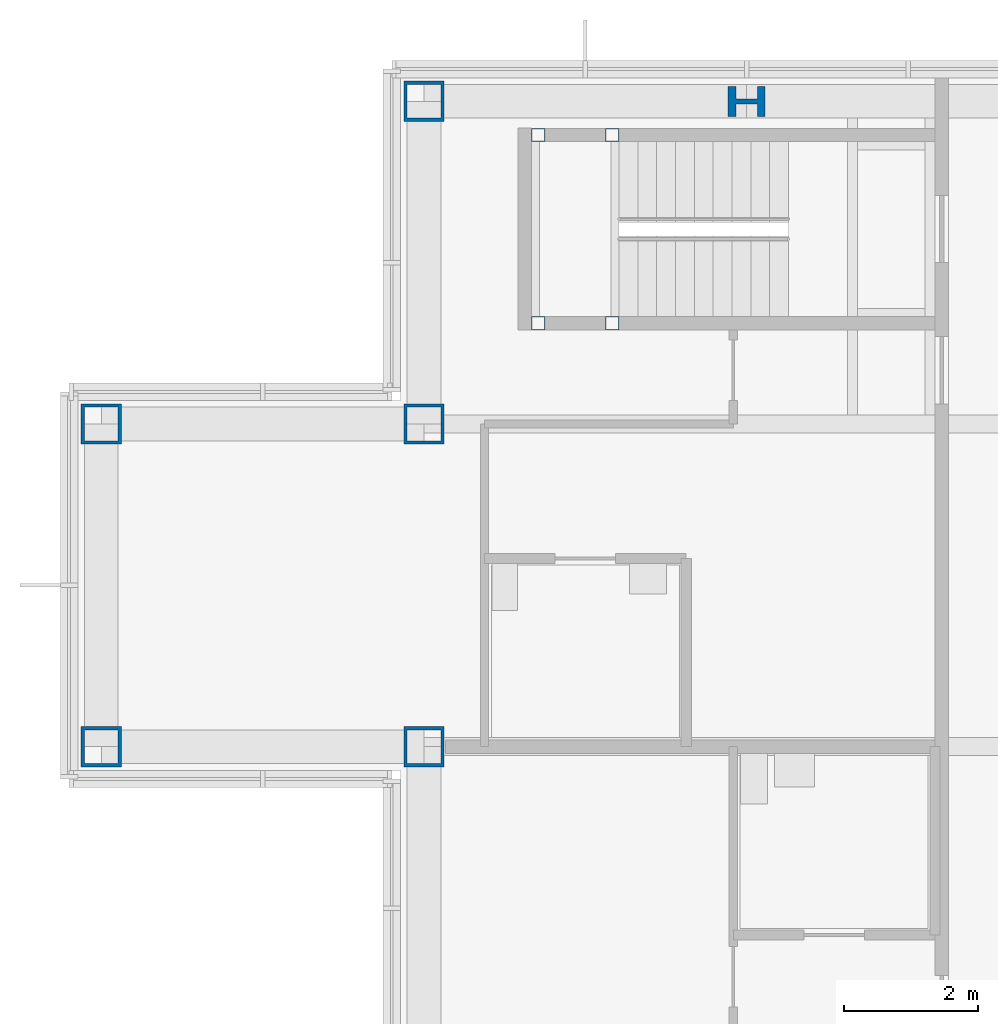
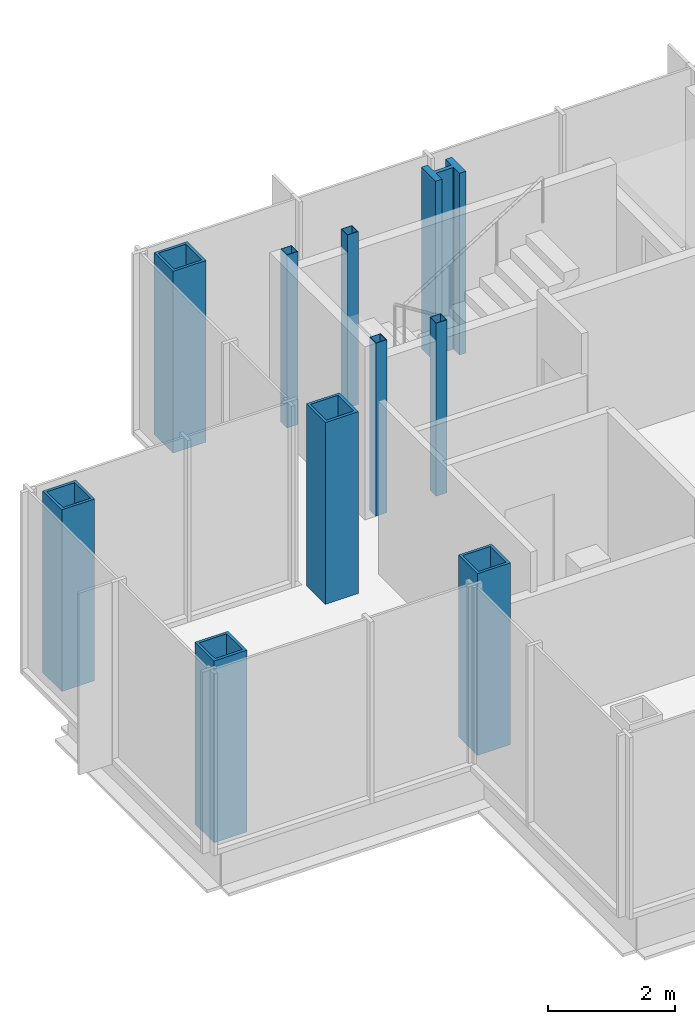
# One storey, part 3 of 15: 10 columns.
"""IFC4 building model written with IfcOpenShell, lengths in metres."""

from ifc_helpers import new_model, si_unit, direction, frame, origin, origin_2d, place, context, subcontext, project, spatial, hollow_rectangle, i_section, extrude, material, material_profile, profile_set, type_object, element, save


model = new_model("IFC4")

# Units and contexts
model_context = context("Model", 3, precision=1e-05, world=origin(), true_north=direction((0.0, 1.0)))
body_context = subcontext(model_context, "Body", "Model", "MODEL_VIEW")
ifc_project = project(units=[si_unit("LENGTHUNIT", "METRE"), si_unit("AREAUNIT", "SQUARE_METRE"), si_unit("VOLUMEUNIT", "CUBIC_METRE"), si_unit("PLANEANGLEUNIT", "RADIAN"), si_unit("MASSUNIT", "GRAM", prefix="KILO")], contexts=[model_context])

# Site, building, storey
site_placement = place(None, origin())
site = spatial("IfcSite", under=ifc_project, at=site_placement, CompositionType="ELEMENT")
building_placement = place(site_placement, origin())
building = spatial("IfcBuilding", under=site, at=building_placement, Name="Kvirike Care Tower", CompositionType="ELEMENT")
storey_placement = place(building_placement, frame((0.0, 0.0, 229.5)))
storey = spatial("IfcBuildingStorey", under=building, at=storey_placement, Name="L63", CompositionType="ELEMENT", Elevation=229.5)

# Columns
ifc_material_1 = material(Name="Steel S460", Category="steel")
ifc_material_profile_1 = material_profile(ifc_material_1, hollow_rectangle(XDim=0.60009765625, YDim=0.60009765625, WallThickness=0.050048828125, at=origin_2d()), Name="BX 600x600x50")
ifc_profile_set_1 = profile_set([ifc_material_profile_1], Name="Steel S460")
column_type_1 = type_object("IfcColumnType", Name="COLUMN BX 600x600x50", PredefinedType="COLUMN", material=ifc_profile_set_1)
for number, where, z_axis, x_axis, name in (
    (1, (0.0, 33.60009765625, 0.0), (0.0, 0.0, 1.0), (0.0, 1.0, 0.0), "Column H3 L63"),
    (2, (0.0, 38.39990234375, 0.0), (0.0, 0.0, 1.0), (0.0, 1.0, 0.0), "Column J3 L63"),
    (3, (4.800048828125, 33.60009765625, 0.0), (0.0, 0.0, 1.0), (0.0, 1.0, 0.0), "Column H4 L63"),
    (4, (4.800048828125, 38.39990234375, 0.0), (0.0, 0.0, 1.0), (0.0, 1.0, 0.0), "Column J4 L63"),
    (5, (4.800048828125, 43.199951171875, 0.0), (0.0, 0.0, 1.0), (0.0, 1.0, 0.0), "Column K4 L63"),
):
    element("IfcColumn", number, at=place(storey_placement, frame(where, z_axis=z_axis, x_axis=x_axis)), inside=storey, type_object=column_type_1, Name=name, PredefinedType="COLUMN", context=body_context, shape_type="SweptSolid", body=[
        extrude(hollow_rectangle(XDim=0.60009765625, YDim=0.60009765625, WallThickness=0.050048828125, at=origin_2d()), origin(), (0.0, 0.0, 1.0), 3.5),
    ])
ifc_material_2 = material(Name="Steel S460", Category="steel")
ifc_material_profile_2 = material_profile(ifc_material_2, i_section(OverallWidth=0.447998046875, OverallDepth=0.550048828125, WebThickness=0.072021484375, FlangeThickness=0.114990234375, FilletRadius=0.014892578125, at=origin_2d()), Name="HD 400x990")
ifc_profile_set_2 = profile_set([ifc_material_profile_2], Name="Steel S460")
column_type_2 = type_object("IfcColumnType", Name="COLUMN HD 400x990", PredefinedType="COLUMN", material=ifc_profile_set_2)
column_placement = place(storey_placement, frame((9.60009765625, 43.199951171875, 0.0), z_axis=(0.0, 0.0, 1.0), x_axis=(0.0, 1.0, 0.0)))
element("IfcColumn", 6, at=column_placement, inside=storey, type_object=column_type_2, Name="Column K5 L63", PredefinedType="COLUMN", context=body_context, shape_type="SweptSolid", body=[
    extrude(i_section(OverallWidth=0.447998046875, OverallDepth=0.550048828125, WebThickness=0.072021484375, FlangeThickness=0.114990234375, FilletRadius=0.014892578125, at=origin_2d()), origin(), (0.0, 0.0, 1.0), 3.5),
])
ifc_material_3 = material(Name="Steel S460", Category="steel")
ifc_material_profile_3 = material_profile(ifc_material_3, hollow_rectangle(XDim=0.199951171875, YDim=0.199951171875, WallThickness=0.008056640625, at=origin_2d()), Name="SHS 200x200x8")
ifc_profile_set_3 = profile_set([ifc_material_profile_3], Name="Steel S460")
column_type_3 = type_object("IfcColumnType", Name="STAIR POST SHS 200x200x8", PredefinedType="COLUMN", material=ifc_profile_set_3)
for number, where, z_axis, x_axis, name in (
    (7, (6.5, 42.699951171875, 0.0), (0.0, 0.0, 1.0), (1.0, 0.0, 0.0), "Stair 1 post 1 L63"),
    (8, (6.5, 39.89990234375, 0.0), (0.0, 0.0, 1.0), (1.0, 0.0, 0.0), "Stair 1 post 2 L63"),
    (9, (7.60009765625, 42.699951171875, 0.0), (0.0, 0.0, 1.0), (1.0, 0.0, 0.0), "Stair 1 post 3 L63"),
    (10, (7.60009765625, 39.89990234375, 0.0), (0.0, 0.0, 1.0), (1.0, 0.0, 0.0), "Stair 1 post 4 L63"),
):
    element("IfcColumn", number, at=place(storey_placement, frame(where, z_axis=z_axis, x_axis=x_axis)), inside=storey, type_object=column_type_3, Name=name, PredefinedType="COLUMN", context=body_context, shape_type="SweptSolid", body=[
        extrude(hollow_rectangle(XDim=0.199951171875, YDim=0.199951171875, WallThickness=0.008056640625, at=origin_2d()), origin(), (0.0, 0.0, 1.0), 3.330078125),
    ])

save(model, "model.ifc")
